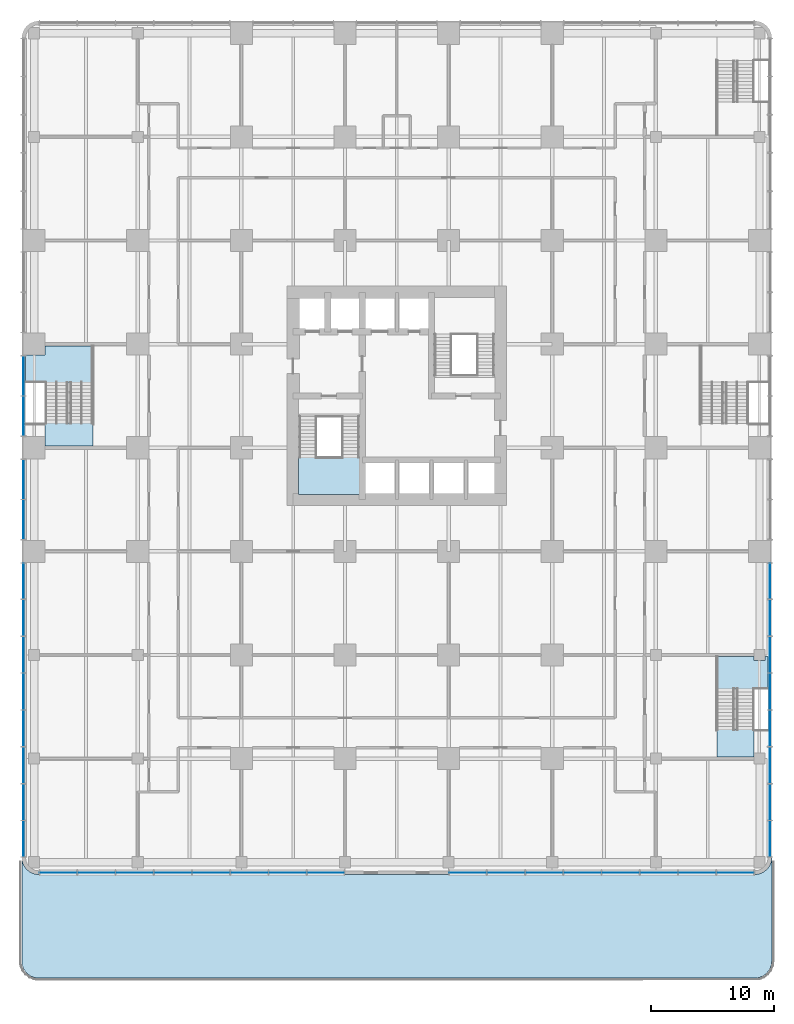
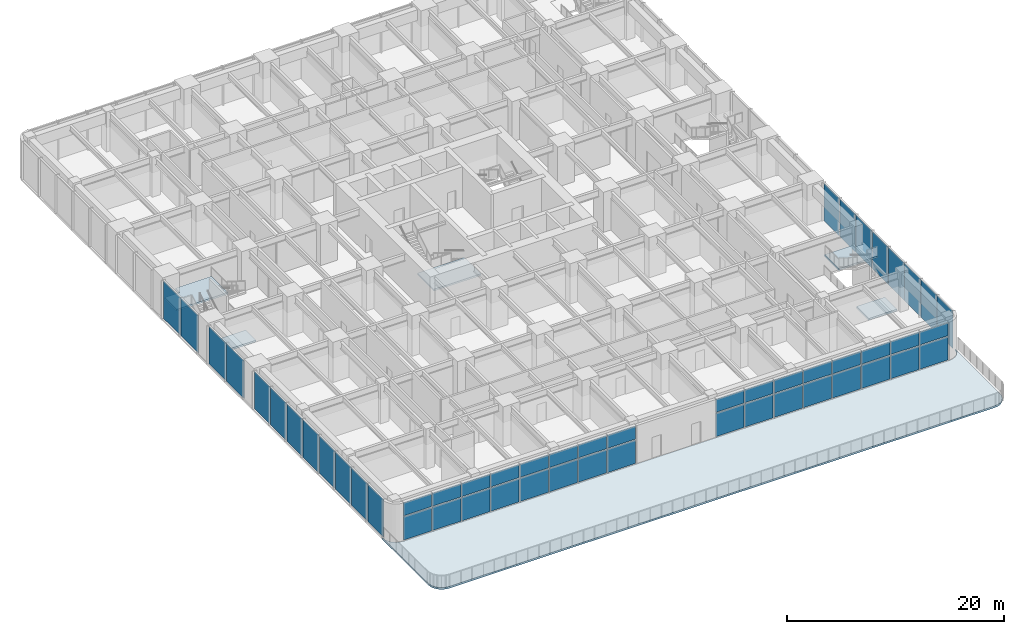
# One storey, part 9 of 20: 52 plates, 6 slabs, 7 elements without a shape of their own.
"""IFC4 building model written with IfcOpenShell, lengths in metres."""

from ifc_helpers import new_model, si_unit, direction, frame, origin, origin_2d, place, context, subcontext, project, spatial, polyline, rectangle, outline, extrude, material, layer, layer_set, type_object, element, aggregate, save


model = new_model("IFC4")

# Units and contexts
model_context = context("Model", 3, precision=1e-05, world=origin(), true_north=direction((0.0, 1.0)))
body_context = subcontext(model_context, "Body", "Model", "MODEL_VIEW")
ifc_project = project(units=[si_unit("LENGTHUNIT", "METRE"), si_unit("AREAUNIT", "SQUARE_METRE"), si_unit("VOLUMEUNIT", "CUBIC_METRE"), si_unit("PLANEANGLEUNIT", "RADIAN"), si_unit("MASSUNIT", "GRAM", prefix="KILO")], contexts=[model_context])

# Site, building, storey
site_placement = place(None, origin())
site = spatial("IfcSite", under=ifc_project, at=site_placement, CompositionType="ELEMENT")
building_placement = place(site_placement, origin())
building = spatial("IfcBuilding", under=site, at=building_placement, Name="Torre Alcanfor", CompositionType="ELEMENT")
storey_placement = place(building_placement, frame((0.0, 0.0, 10.5)))
storey = spatial("IfcBuildingStorey", under=building, at=storey_placement, Name="L02", CompositionType="ELEMENT", Elevation=10.5)

# Curtain wall, plates
ifc_material_1 = material(Name="Aluminium and glass", Category="aluminium")
curtain_wall_type_1 = type_object("IfcCurtainWallType", Name="CW-B unitised classroom glazing with vertical FIN", PredefinedType="NOTDEFINED", material=ifc_material_1)
curtain_wall_1_placement = place(storey_placement, origin())
curtain_wall_1 = element("IfcCurtainWall", 1, at=curtain_wall_1_placement, inside=storey, type_object=curtain_wall_type_1, Name="Curtain wall CW-B L02 1", PredefinedType="NOTDEFINED")
ifc_material_2 = material(Name="Glass", Category="glass")
ifc_layer_1 = layer(ifc_material_2, 0.028076171875)
ifc_layer_set_1 = layer_set([ifc_layer_1], Name="CW-B clear double glazed unit")
plate_type_1 = type_object("IfcPlateType", Name="CW-B clear double glazed unit", PredefinedType="CURTAIN_PANEL", material=ifc_layer_set_1)
plate_1_placement = place(storey_placement, frame((59.64990234375, -6.490234375, 0.0), z_axis=(0.0, 0.0, 1.0), x_axis=(0.0, 1.0, 0.0)))
plate_1 = element("IfcPlate", 2, at=plate_1_placement, type_object=plate_type_1, Name="CW-B panel 1.1.1", PredefinedType="CURTAIN_PANEL", context=body_context, shape_type="SweptSolid", body=[
    extrude(rectangle(XDim=2.889404296875, YDim=0.028076171875, at=origin_2d()), origin(), (0.0, 0.0, 1.0), 4.235107421875),
])
plate_2_placement = place(storey_placement, frame((59.64990234375, -3.519775390625, 0.0), z_axis=(0.0, 0.0, 1.0), x_axis=(0.0, 1.0, 0.0)))
plate_2 = element("IfcPlate", 3, at=plate_2_placement, type_object=plate_type_1, Name="CW-B panel 1.2.1", PredefinedType="CURTAIN_PANEL", context=body_context, shape_type="SweptSolid", body=[
    extrude(rectangle(XDim=2.921875, YDim=0.028076171875, at=origin_2d()), origin(), (0.0, 0.0, 1.0), 4.235107421875),
])
plate_3_placement = place(storey_placement, frame((59.64990234375, -0.53271484375, 0.0), z_axis=(0.0, 0.0, 1.0), x_axis=(0.0, 1.0, 0.0)))
plate_3 = element("IfcPlate", 4, at=plate_3_placement, type_object=plate_type_1, Name="CW-B panel 1.3.1", PredefinedType="CURTAIN_PANEL", context=body_context, shape_type="SweptSolid", body=[
    extrude(rectangle(XDim=2.921875, YDim=0.028076171875, at=origin_2d()), origin(), (0.0, 0.0, 1.0), 4.235107421875),
])
plate_4_placement = place(storey_placement, frame((59.64990234375, 2.4541015625, 0.0), z_axis=(0.0, 0.0, 1.0), x_axis=(0.0, 1.0, 0.0)))
plate_4 = element("IfcPlate", 5, at=plate_4_placement, type_object=plate_type_1, Name="CW-B panel 1.4.1", PredefinedType="CURTAIN_PANEL", context=body_context, shape_type="SweptSolid", body=[
    extrude(rectangle(XDim=2.921875, YDim=0.028076171875, at=origin_2d()), origin(), (0.0, 0.0, 1.0), 4.235107421875),
])
plate_5_placement = place(storey_placement, frame((59.64990234375, 5.44091796875, 0.0), z_axis=(0.0, 0.0, 1.0), x_axis=(0.0, 1.0, 0.0)))
plate_5 = element("IfcPlate", 6, at=plate_5_placement, type_object=plate_type_1, Name="CW-B panel 1.5.1", PredefinedType="CURTAIN_PANEL", context=body_context, shape_type="SweptSolid", body=[
    extrude(rectangle(XDim=2.921875, YDim=0.028076171875, at=origin_2d()), origin(), (0.0, 0.0, 1.0), 4.235107421875),
])
plate_6_placement = place(storey_placement, frame((59.64990234375, 8.427734375, 0.0), z_axis=(0.0, 0.0, 1.0), x_axis=(0.0, 1.0, 0.0)))
plate_6 = element("IfcPlate", 7, at=plate_6_placement, type_object=plate_type_1, Name="CW-B panel 1.6.1", PredefinedType="CURTAIN_PANEL", context=body_context, shape_type="SweptSolid", body=[
    extrude(rectangle(XDim=2.921875, YDim=0.028076171875, at=origin_2d()), origin(), (0.0, 0.0, 1.0), 4.235107421875),
])
plate_7_placement = place(storey_placement, frame((59.64990234375, 11.414794921875, 0.0), z_axis=(0.0, 0.0, 1.0), x_axis=(0.0, 1.0, 0.0)))
plate_7 = element("IfcPlate", 8, at=plate_7_placement, type_object=plate_type_1, Name="CW-B panel 1.7.1", PredefinedType="CURTAIN_PANEL", context=body_context, shape_type="SweptSolid", body=[
    extrude(rectangle(XDim=2.921875, YDim=0.028076171875, at=origin_2d()), origin(), (0.0, 0.0, 1.0), 4.235107421875),
])
plate_8_placement = place(storey_placement, frame((59.64990234375, 14.38525390625, 0.0), z_axis=(0.0, 0.0, 1.0), x_axis=(0.0, 1.0, 0.0)))
plate_8 = element("IfcPlate", 9, at=plate_8_placement, type_object=plate_type_1, Name="CW-B panel 1.8.1", PredefinedType="CURTAIN_PANEL", context=body_context, shape_type="SweptSolid", body=[
    extrude(rectangle(XDim=2.889404296875, YDim=0.028076171875, at=origin_2d()), origin(), (0.0, 0.0, 1.0), 4.235107421875),
])
aggregate(curtain_wall_1, [plate_1, plate_2, plate_3, plate_4, plate_5, plate_6, plate_7, plate_8])

curtain_wall_2_placement = place(storey_placement, origin())
curtain_wall_2 = element("IfcCurtainWall", 10, at=curtain_wall_2_placement, inside=storey, type_object=curtain_wall_type_1, Name="Curtain wall CW-B L02 3", PredefinedType="NOTDEFINED")
plate_9_placement = place(storey_placement, frame((-0.85009765625, 31.03125, 0.0), z_axis=(0.0, 0.0, 1.0), x_axis=(0.0, -1.0, 0.0)))
plate_9 = element("IfcPlate", 11, at=plate_9_placement, type_object=plate_type_1, Name="CW-B panel 3.1.1", PredefinedType="CURTAIN_PANEL", context=body_context, shape_type="SweptSolid", body=[
    extrude(rectangle(XDim=3.197509765625, YDim=0.028076171875, at=origin_2d()), origin(), (0.0, 0.0, 1.0), 4.235107421875),
])
plate_10_placement = place(storey_placement, frame((-0.85009765625, 27.768798828125, 0.0), z_axis=(0.0, 0.0, 1.0), x_axis=(0.0, -1.0, 0.0)))
plate_10 = element("IfcPlate", 12, at=plate_10_placement, type_object=plate_type_1, Name="CW-B panel 3.2.1", PredefinedType="CURTAIN_PANEL", context=body_context, shape_type="SweptSolid", body=[
    extrude(rectangle(XDim=3.197509765625, YDim=0.028076171875, at=origin_2d()), origin(), (0.0, 0.0, 1.0), 4.235107421875),
])
plate_11_placement = place(storey_placement, frame((-0.85009765625, 22.63134765625, 0.0), z_axis=(0.0, 0.0, 1.0), x_axis=(0.0, -1.0, 0.0)))
plate_11 = element("IfcPlate", 13, at=plate_11_placement, type_object=plate_type_1, Name="CW-B panel 4.1.1", PredefinedType="CURTAIN_PANEL", context=body_context, shape_type="SweptSolid", body=[
    extrude(rectangle(XDim=3.197509765625, YDim=0.028076171875, at=origin_2d()), origin(), (0.0, 0.0, 1.0), 4.235107421875),
])
plate_12_placement = place(storey_placement, frame((-0.85009765625, 19.36865234375, 0.0), z_axis=(0.0, 0.0, 1.0), x_axis=(0.0, -1.0, 0.0)))
plate_12 = element("IfcPlate", 14, at=plate_12_placement, type_object=plate_type_1, Name="CW-B panel 4.2.1", PredefinedType="CURTAIN_PANEL", context=body_context, shape_type="SweptSolid", body=[
    extrude(rectangle(XDim=3.197509765625, YDim=0.028076171875, at=origin_2d()), origin(), (0.0, 0.0, 1.0), 4.235107421875),
])
plate_13_placement = place(storey_placement, frame((-0.85009765625, 14.38525390625, 0.0), z_axis=(0.0, 0.0, 1.0), x_axis=(0.0, -1.0, 0.0)))
plate_13 = element("IfcPlate", 15, at=plate_13_placement, type_object=plate_type_1, Name="CW-B panel 5.1.1", PredefinedType="CURTAIN_PANEL", context=body_context, shape_type="SweptSolid", body=[
    extrude(rectangle(XDim=2.889404296875, YDim=0.028076171875, at=origin_2d()), origin(), (0.0, 0.0, 1.0), 4.235107421875),
])
plate_14_placement = place(storey_placement, frame((-0.85009765625, 11.414794921875, 0.0), z_axis=(0.0, 0.0, 1.0), x_axis=(0.0, -1.0, 0.0)))
plate_14 = element("IfcPlate", 16, at=plate_14_placement, type_object=plate_type_1, Name="CW-B panel 5.2.1", PredefinedType="CURTAIN_PANEL", context=body_context, shape_type="SweptSolid", body=[
    extrude(rectangle(XDim=2.921875, YDim=0.028076171875, at=origin_2d()), origin(), (0.0, 0.0, 1.0), 4.235107421875),
])
plate_15_placement = place(storey_placement, frame((-0.85009765625, 8.427734375, 0.0), z_axis=(0.0, 0.0, 1.0), x_axis=(0.0, -1.0, 0.0)))
plate_15 = element("IfcPlate", 17, at=plate_15_placement, type_object=plate_type_1, Name="CW-B panel 5.3.1", PredefinedType="CURTAIN_PANEL", context=body_context, shape_type="SweptSolid", body=[
    extrude(rectangle(XDim=2.921875, YDim=0.028076171875, at=origin_2d()), origin(), (0.0, 0.0, 1.0), 4.235107421875),
])
plate_16_placement = place(storey_placement, frame((-0.85009765625, 5.44091796875, 0.0), z_axis=(0.0, 0.0, 1.0), x_axis=(0.0, -1.0, 0.0)))
plate_16 = element("IfcPlate", 18, at=plate_16_placement, type_object=plate_type_1, Name="CW-B panel 5.4.1", PredefinedType="CURTAIN_PANEL", context=body_context, shape_type="SweptSolid", body=[
    extrude(rectangle(XDim=2.921875, YDim=0.028076171875, at=origin_2d()), origin(), (0.0, 0.0, 1.0), 4.235107421875),
])
plate_17_placement = place(storey_placement, frame((-0.85009765625, 2.4541015625, 0.0), z_axis=(0.0, 0.0, 1.0), x_axis=(0.0, -1.0, 0.0)))
plate_17 = element("IfcPlate", 19, at=plate_17_placement, type_object=plate_type_1, Name="CW-B panel 5.5.1", PredefinedType="CURTAIN_PANEL", context=body_context, shape_type="SweptSolid", body=[
    extrude(rectangle(XDim=2.921875, YDim=0.028076171875, at=origin_2d()), origin(), (0.0, 0.0, 1.0), 4.235107421875),
])
plate_18_placement = place(storey_placement, frame((-0.85009765625, -0.53271484375, 0.0), z_axis=(0.0, 0.0, 1.0), x_axis=(0.0, -1.0, 0.0)))
plate_18 = element("IfcPlate", 20, at=plate_18_placement, type_object=plate_type_1, Name="CW-B panel 5.6.1", PredefinedType="CURTAIN_PANEL", context=body_context, shape_type="SweptSolid", body=[
    extrude(rectangle(XDim=2.921875, YDim=0.028076171875, at=origin_2d()), origin(), (0.0, 0.0, 1.0), 4.235107421875),
])
plate_19_placement = place(storey_placement, frame((-0.85009765625, -3.519775390625, 0.0), z_axis=(0.0, 0.0, 1.0), x_axis=(0.0, -1.0, 0.0)))
plate_19 = element("IfcPlate", 21, at=plate_19_placement, type_object=plate_type_1, Name="CW-B panel 5.7.1", PredefinedType="CURTAIN_PANEL", context=body_context, shape_type="SweptSolid", body=[
    extrude(rectangle(XDim=2.921875, YDim=0.028076171875, at=origin_2d()), origin(), (0.0, 0.0, 1.0), 4.235107421875),
])
plate_20_placement = place(storey_placement, frame((-0.85009765625, -6.490234375, 0.0), z_axis=(0.0, 0.0, 1.0), x_axis=(0.0, -1.0, 0.0)))
plate_20 = element("IfcPlate", 22, at=plate_20_placement, type_object=plate_type_1, Name="CW-B panel 5.8.1", PredefinedType="CURTAIN_PANEL", context=body_context, shape_type="SweptSolid", body=[
    extrude(rectangle(XDim=2.889404296875, YDim=0.028076171875, at=origin_2d()), origin(), (0.0, 0.0, 1.0), 4.235107421875),
])
aggregate(curtain_wall_2, [plate_9, plate_10, plate_11, plate_12, plate_13, plate_14, plate_15, plate_16, plate_17, plate_18, plate_19, plate_20])

ifc_material_3 = material(Name="Aluminium and glass", Category="aluminium")
curtain_wall_type_2 = type_object("IfcCurtainWallType", Name="CW-F south classroom glazing with SUNSHADE transom", PredefinedType="NOTDEFINED", material=ifc_material_3)
curtain_wall_3_placement = place(storey_placement, origin())
curtain_wall_3 = element("IfcCurtainWall", 23, at=curtain_wall_3_placement, inside=storey, type_object=curtain_wall_type_2, Name="Curtain wall CW-F L02 4", PredefinedType="NOTDEFINED")
ifc_material_4 = material(Name="Glass", Category="glass")
ifc_layer_2 = layer(ifc_material_4, 0.028076171875)
ifc_layer_set_2 = layer_set([ifc_layer_2], Name="CW-F clear double glazed unit")
plate_type_2 = type_object("IfcPlateType", Name="CW-F clear double glazed unit", PredefinedType="CURTAIN_PANEL", material=ifc_layer_set_2)
plate_21_placement = place(storey_placement, frame((1.96630859375, -9.25, 0.0), z_axis=(0.0, 0.0, 1.0), x_axis=(1.0, 0.0, 0.0)))
plate_21 = element("IfcPlate", 24, at=plate_21_placement, type_object=plate_type_2, Name="CW-F panel 1.1", PredefinedType="CURTAIN_PANEL", context=body_context, shape_type="SweptSolid", body=[
    extrude(rectangle(XDim=3.00244140625, YDim=0.028076171875, at=origin_2d()), origin(), (0.0, 0.0, 1.0), 2.66748046875),
])
plate_22_placement = place(storey_placement, frame((1.96630859375, -9.25, 2.732421875), z_axis=(0.0, 0.0, 1.0), x_axis=(1.0, 0.0, 0.0)))
plate_22 = element("IfcPlate", 25, at=plate_22_placement, type_object=plate_type_2, Name="CW-F panel 1.2", PredefinedType="CURTAIN_PANEL", context=body_context, shape_type="SweptSolid", body=[
    extrude(rectangle(XDim=3.00244140625, YDim=0.028076171875, at=origin_2d()), origin(), (0.0, 0.0, 1.0), 1.50244140625),
])
plate_23_placement = place(storey_placement, frame((5.050048828125, -9.25, 0.0), z_axis=(0.0, 0.0, 1.0), x_axis=(1.0, 0.0, 0.0)))
plate_23 = element("IfcPlate", 26, at=plate_23_placement, type_object=plate_type_2, Name="CW-F panel 2.1", PredefinedType="CURTAIN_PANEL", context=body_context, shape_type="SweptSolid", body=[
    extrude(rectangle(XDim=3.034912109375, YDim=0.028076171875, at=origin_2d()), origin(), (0.0, 0.0, 1.0), 2.66748046875),
])
plate_24_placement = place(storey_placement, frame((5.050048828125, -9.25, 2.732421875), z_axis=(0.0, 0.0, 1.0), x_axis=(1.0, 0.0, 0.0)))
plate_24 = element("IfcPlate", 27, at=plate_24_placement, type_object=plate_type_2, Name="CW-F panel 2.2", PredefinedType="CURTAIN_PANEL", context=body_context, shape_type="SweptSolid", body=[
    extrude(rectangle(XDim=3.034912109375, YDim=0.028076171875, at=origin_2d()), origin(), (0.0, 0.0, 1.0), 1.50244140625),
])
plate_25_placement = place(storey_placement, frame((8.14990234375, -9.25, 0.0), z_axis=(0.0, 0.0, 1.0), x_axis=(1.0, 0.0, 0.0)))
plate_25 = element("IfcPlate", 28, at=plate_25_placement, type_object=plate_type_2, Name="CW-F panel 3.1", PredefinedType="CURTAIN_PANEL", context=body_context, shape_type="SweptSolid", body=[
    extrude(rectangle(XDim=3.034912109375, YDim=0.028076171875, at=origin_2d()), origin(), (0.0, 0.0, 1.0), 2.66748046875),
])
plate_26_placement = place(storey_placement, frame((8.14990234375, -9.25, 2.732421875), z_axis=(0.0, 0.0, 1.0), x_axis=(1.0, 0.0, 0.0)))
plate_26 = element("IfcPlate", 29, at=plate_26_placement, type_object=plate_type_2, Name="CW-F panel 3.2", PredefinedType="CURTAIN_PANEL", context=body_context, shape_type="SweptSolid", body=[
    extrude(rectangle(XDim=3.034912109375, YDim=0.028076171875, at=origin_2d()), origin(), (0.0, 0.0, 1.0), 1.50244140625),
])
plate_27_placement = place(storey_placement, frame((11.25, -9.25, 0.0), z_axis=(0.0, 0.0, 1.0), x_axis=(1.0, 0.0, 0.0)))
plate_27 = element("IfcPlate", 30, at=plate_27_placement, type_object=plate_type_2, Name="CW-F panel 4.1", PredefinedType="CURTAIN_PANEL", context=body_context, shape_type="SweptSolid", body=[
    extrude(rectangle(XDim=3.034912109375, YDim=0.028076171875, at=origin_2d()), origin(), (0.0, 0.0, 1.0), 2.66748046875),
])
plate_28_placement = place(storey_placement, frame((11.25, -9.25, 2.732421875), z_axis=(0.0, 0.0, 1.0), x_axis=(1.0, 0.0, 0.0)))
plate_28 = element("IfcPlate", 31, at=plate_28_placement, type_object=plate_type_2, Name="CW-F panel 4.2", PredefinedType="CURTAIN_PANEL", context=body_context, shape_type="SweptSolid", body=[
    extrude(rectangle(XDim=3.034912109375, YDim=0.028076171875, at=origin_2d()), origin(), (0.0, 0.0, 1.0), 1.50244140625),
])
plate_29_placement = place(storey_placement, frame((14.35009765625, -9.25, 0.0), z_axis=(0.0, 0.0, 1.0), x_axis=(1.0, 0.0, 0.0)))
plate_29 = element("IfcPlate", 32, at=plate_29_placement, type_object=plate_type_2, Name="CW-F panel 5.1", PredefinedType="CURTAIN_PANEL", context=body_context, shape_type="SweptSolid", body=[
    extrude(rectangle(XDim=3.034912109375, YDim=0.028076171875, at=origin_2d()), origin(), (0.0, 0.0, 1.0), 2.66748046875),
])
plate_30_placement = place(storey_placement, frame((14.35009765625, -9.25, 2.732421875), z_axis=(0.0, 0.0, 1.0), x_axis=(1.0, 0.0, 0.0)))
plate_30 = element("IfcPlate", 33, at=plate_30_placement, type_object=plate_type_2, Name="CW-F panel 5.2", PredefinedType="CURTAIN_PANEL", context=body_context, shape_type="SweptSolid", body=[
    extrude(rectangle(XDim=3.034912109375, YDim=0.028076171875, at=origin_2d()), origin(), (0.0, 0.0, 1.0), 1.50244140625),
])
plate_31_placement = place(storey_placement, frame((17.449951171875, -9.25, 0.0), z_axis=(0.0, 0.0, 1.0), x_axis=(1.0, 0.0, 0.0)))
plate_31 = element("IfcPlate", 34, at=plate_31_placement, type_object=plate_type_2, Name="CW-F panel 6.1", PredefinedType="CURTAIN_PANEL", context=body_context, shape_type="SweptSolid", body=[
    extrude(rectangle(XDim=3.034912109375, YDim=0.028076171875, at=origin_2d()), origin(), (0.0, 0.0, 1.0), 2.66748046875),
])
plate_32_placement = place(storey_placement, frame((17.449951171875, -9.25, 2.732421875), z_axis=(0.0, 0.0, 1.0), x_axis=(1.0, 0.0, 0.0)))
plate_32 = element("IfcPlate", 35, at=plate_32_placement, type_object=plate_type_2, Name="CW-F panel 6.2", PredefinedType="CURTAIN_PANEL", context=body_context, shape_type="SweptSolid", body=[
    extrude(rectangle(XDim=3.034912109375, YDim=0.028076171875, at=origin_2d()), origin(), (0.0, 0.0, 1.0), 1.50244140625),
])
plate_33_placement = place(storey_placement, frame((20.550048828125, -9.25, 0.0), z_axis=(0.0, 0.0, 1.0), x_axis=(1.0, 0.0, 0.0)))
plate_33 = element("IfcPlate", 36, at=plate_33_placement, type_object=plate_type_2, Name="CW-F panel 7.1", PredefinedType="CURTAIN_PANEL", context=body_context, shape_type="SweptSolid", body=[
    extrude(rectangle(XDim=3.034912109375, YDim=0.028076171875, at=origin_2d()), origin(), (0.0, 0.0, 1.0), 2.66748046875),
])
plate_34_placement = place(storey_placement, frame((20.550048828125, -9.25, 2.732421875), z_axis=(0.0, 0.0, 1.0), x_axis=(1.0, 0.0, 0.0)))
plate_34 = element("IfcPlate", 37, at=plate_34_placement, type_object=plate_type_2, Name="CW-F panel 7.2", PredefinedType="CURTAIN_PANEL", context=body_context, shape_type="SweptSolid", body=[
    extrude(rectangle(XDim=3.034912109375, YDim=0.028076171875, at=origin_2d()), origin(), (0.0, 0.0, 1.0), 1.50244140625),
])
plate_35_placement = place(storey_placement, frame((23.6337890625, -9.25, 0.0), z_axis=(0.0, 0.0, 1.0), x_axis=(1.0, 0.0, 0.0)))
plate_35 = element("IfcPlate", 38, at=plate_35_placement, type_object=plate_type_2, Name="CW-F panel 8.1", PredefinedType="CURTAIN_PANEL", context=body_context, shape_type="SweptSolid", body=[
    extrude(rectangle(XDim=3.00244140625, YDim=0.028076171875, at=origin_2d()), origin(), (0.0, 0.0, 1.0), 2.66748046875),
])
plate_36_placement = place(storey_placement, frame((23.6337890625, -9.25, 2.732421875), z_axis=(0.0, 0.0, 1.0), x_axis=(1.0, 0.0, 0.0)))
plate_36 = element("IfcPlate", 39, at=plate_36_placement, type_object=plate_type_2, Name="CW-F panel 8.2", PredefinedType="CURTAIN_PANEL", context=body_context, shape_type="SweptSolid", body=[
    extrude(rectangle(XDim=3.00244140625, YDim=0.028076171875, at=origin_2d()), origin(), (0.0, 0.0, 1.0), 1.50244140625),
])
aggregate(curtain_wall_3, [plate_21, plate_22, plate_23, plate_24, plate_25, plate_26, plate_27, plate_28, plate_29, plate_30, plate_31, plate_32, plate_33, plate_34, plate_35, plate_36])

curtain_wall_4_placement = place(storey_placement, origin())
curtain_wall_4 = element("IfcCurtainWall", 40, at=curtain_wall_4_placement, inside=storey, type_object=curtain_wall_type_2, Name="Curtain wall CW-F L02 4", PredefinedType="NOTDEFINED")
plate_37_placement = place(storey_placement, frame((35.166259765625, -9.25, 0.0), z_axis=(0.0, 0.0, 1.0), x_axis=(1.0, 0.0, 0.0)))
plate_37 = element("IfcPlate", 41, at=plate_37_placement, type_object=plate_type_2, Name="CW-F panel 1.1", PredefinedType="CURTAIN_PANEL", context=body_context, shape_type="SweptSolid", body=[
    extrude(rectangle(XDim=3.00244140625, YDim=0.028076171875, at=origin_2d()), origin(), (0.0, 0.0, 1.0), 2.66748046875),
])
plate_38_placement = place(storey_placement, frame((35.166259765625, -9.25, 2.732421875), z_axis=(0.0, 0.0, 1.0), x_axis=(1.0, 0.0, 0.0)))
plate_38 = element("IfcPlate", 42, at=plate_38_placement, type_object=plate_type_2, Name="CW-F panel 1.2", PredefinedType="CURTAIN_PANEL", context=body_context, shape_type="SweptSolid", body=[
    extrude(rectangle(XDim=3.00244140625, YDim=0.028076171875, at=origin_2d()), origin(), (0.0, 0.0, 1.0), 1.50244140625),
])
plate_39_placement = place(storey_placement, frame((38.25, -9.25, 0.0), z_axis=(0.0, 0.0, 1.0), x_axis=(1.0, 0.0, 0.0)))
plate_39 = element("IfcPlate", 43, at=plate_39_placement, type_object=plate_type_2, Name="CW-F panel 2.1", PredefinedType="CURTAIN_PANEL", context=body_context, shape_type="SweptSolid", body=[
    extrude(rectangle(XDim=3.034912109375, YDim=0.028076171875, at=origin_2d()), origin(), (0.0, 0.0, 1.0), 2.66748046875),
])
plate_40_placement = place(storey_placement, frame((38.25, -9.25, 2.732421875), z_axis=(0.0, 0.0, 1.0), x_axis=(1.0, 0.0, 0.0)))
plate_40 = element("IfcPlate", 44, at=plate_40_placement, type_object=plate_type_2, Name="CW-F panel 2.2", PredefinedType="CURTAIN_PANEL", context=body_context, shape_type="SweptSolid", body=[
    extrude(rectangle(XDim=3.034912109375, YDim=0.028076171875, at=origin_2d()), origin(), (0.0, 0.0, 1.0), 1.50244140625),
])
plate_41_placement = place(storey_placement, frame((41.35009765625, -9.25, 0.0), z_axis=(0.0, 0.0, 1.0), x_axis=(1.0, 0.0, 0.0)))
plate_41 = element("IfcPlate", 45, at=plate_41_placement, type_object=plate_type_2, Name="CW-F panel 3.1", PredefinedType="CURTAIN_PANEL", context=body_context, shape_type="SweptSolid", body=[
    extrude(rectangle(XDim=3.034912109375, YDim=0.028076171875, at=origin_2d()), origin(), (0.0, 0.0, 1.0), 2.66748046875),
])
plate_42_placement = place(storey_placement, frame((41.35009765625, -9.25, 2.732421875), z_axis=(0.0, 0.0, 1.0), x_axis=(1.0, 0.0, 0.0)))
plate_42 = element("IfcPlate", 46, at=plate_42_placement, type_object=plate_type_2, Name="CW-F panel 3.2", PredefinedType="CURTAIN_PANEL", context=body_context, shape_type="SweptSolid", body=[
    extrude(rectangle(XDim=3.034912109375, YDim=0.028076171875, at=origin_2d()), origin(), (0.0, 0.0, 1.0), 1.50244140625),
])
plate_43_placement = place(storey_placement, frame((44.449951171875, -9.25, 0.0), z_axis=(0.0, 0.0, 1.0), x_axis=(1.0, 0.0, 0.0)))
plate_43 = element("IfcPlate", 47, at=plate_43_placement, type_object=plate_type_2, Name="CW-F panel 4.1", PredefinedType="CURTAIN_PANEL", context=body_context, shape_type="SweptSolid", body=[
    extrude(rectangle(XDim=3.034912109375, YDim=0.028076171875, at=origin_2d()), origin(), (0.0, 0.0, 1.0), 2.66748046875),
])
plate_44_placement = place(storey_placement, frame((44.449951171875, -9.25, 2.732421875), z_axis=(0.0, 0.0, 1.0), x_axis=(1.0, 0.0, 0.0)))
plate_44 = element("IfcPlate", 48, at=plate_44_placement, type_object=plate_type_2, Name="CW-F panel 4.2", PredefinedType="CURTAIN_PANEL", context=body_context, shape_type="SweptSolid", body=[
    extrude(rectangle(XDim=3.034912109375, YDim=0.028076171875, at=origin_2d()), origin(), (0.0, 0.0, 1.0), 1.50244140625),
])
plate_45_placement = place(storey_placement, frame((47.550048828125, -9.25, 0.0), z_axis=(0.0, 0.0, 1.0), x_axis=(1.0, 0.0, 0.0)))
plate_45 = element("IfcPlate", 49, at=plate_45_placement, type_object=plate_type_2, Name="CW-F panel 5.1", PredefinedType="CURTAIN_PANEL", context=body_context, shape_type="SweptSolid", body=[
    extrude(rectangle(XDim=3.034912109375, YDim=0.028076171875, at=origin_2d()), origin(), (0.0, 0.0, 1.0), 2.66748046875),
])
plate_46_placement = place(storey_placement, frame((47.550048828125, -9.25, 2.732421875), z_axis=(0.0, 0.0, 1.0), x_axis=(1.0, 0.0, 0.0)))
plate_46 = element("IfcPlate", 50, at=plate_46_placement, type_object=plate_type_2, Name="CW-F panel 5.2", PredefinedType="CURTAIN_PANEL", context=body_context, shape_type="SweptSolid", body=[
    extrude(rectangle(XDim=3.034912109375, YDim=0.028076171875, at=origin_2d()), origin(), (0.0, 0.0, 1.0), 1.50244140625),
])
plate_47_placement = place(storey_placement, frame((50.64990234375, -9.25, 0.0), z_axis=(0.0, 0.0, 1.0), x_axis=(1.0, 0.0, 0.0)))
plate_47 = element("IfcPlate", 51, at=plate_47_placement, type_object=plate_type_2, Name="CW-F panel 6.1", PredefinedType="CURTAIN_PANEL", context=body_context, shape_type="SweptSolid", body=[
    extrude(rectangle(XDim=3.034912109375, YDim=0.028076171875, at=origin_2d()), origin(), (0.0, 0.0, 1.0), 2.66748046875),
])
plate_48_placement = place(storey_placement, frame((50.64990234375, -9.25, 2.732421875), z_axis=(0.0, 0.0, 1.0), x_axis=(1.0, 0.0, 0.0)))
plate_48 = element("IfcPlate", 52, at=plate_48_placement, type_object=plate_type_2, Name="CW-F panel 6.2", PredefinedType="CURTAIN_PANEL", context=body_context, shape_type="SweptSolid", body=[
    extrude(rectangle(XDim=3.034912109375, YDim=0.028076171875, at=origin_2d()), origin(), (0.0, 0.0, 1.0), 1.50244140625),
])
plate_49_placement = place(storey_placement, frame((53.75, -9.25, 0.0), z_axis=(0.0, 0.0, 1.0), x_axis=(1.0, 0.0, 0.0)))
plate_49 = element("IfcPlate", 53, at=plate_49_placement, type_object=plate_type_2, Name="CW-F panel 7.1", PredefinedType="CURTAIN_PANEL", context=body_context, shape_type="SweptSolid", body=[
    extrude(rectangle(XDim=3.034912109375, YDim=0.028076171875, at=origin_2d()), origin(), (0.0, 0.0, 1.0), 2.66748046875),
])
plate_50_placement = place(storey_placement, frame((53.75, -9.25, 2.732421875), z_axis=(0.0, 0.0, 1.0), x_axis=(1.0, 0.0, 0.0)))
plate_50 = element("IfcPlate", 54, at=plate_50_placement, type_object=plate_type_2, Name="CW-F panel 7.2", PredefinedType="CURTAIN_PANEL", context=body_context, shape_type="SweptSolid", body=[
    extrude(rectangle(XDim=3.034912109375, YDim=0.028076171875, at=origin_2d()), origin(), (0.0, 0.0, 1.0), 1.50244140625),
])
plate_51_placement = place(storey_placement, frame((56.833740234375, -9.25, 0.0), z_axis=(0.0, 0.0, 1.0), x_axis=(1.0, 0.0, 0.0)))
plate_51 = element("IfcPlate", 55, at=plate_51_placement, type_object=plate_type_2, Name="CW-F panel 8.1", PredefinedType="CURTAIN_PANEL", context=body_context, shape_type="SweptSolid", body=[
    extrude(rectangle(XDim=3.00244140625, YDim=0.028076171875, at=origin_2d()), origin(), (0.0, 0.0, 1.0), 2.66748046875),
])
plate_52_placement = place(storey_placement, frame((56.833740234375, -9.25, 2.732421875), z_axis=(0.0, 0.0, 1.0), x_axis=(1.0, 0.0, 0.0)))
plate_52 = element("IfcPlate", 56, at=plate_52_placement, type_object=plate_type_2, Name="CW-F panel 8.2", PredefinedType="CURTAIN_PANEL", context=body_context, shape_type="SweptSolid", body=[
    extrude(rectangle(XDim=3.00244140625, YDim=0.028076171875, at=origin_2d()), origin(), (0.0, 0.0, 1.0), 1.50244140625),
])
aggregate(curtain_wall_4, [plate_37, plate_38, plate_39, plate_40, plate_41, plate_42, plate_43, plate_44, plate_45, plate_46, plate_47, plate_48, plate_49, plate_50, plate_51, plate_52])

# Slab
ifc_material_5 = material(Name="Concrete f'c 35 MPa", Category="concrete")
ifc_layer_3 = layer(ifc_material_5, 0.199951171875)
ifc_layer_set_3 = layer_set([ifc_layer_3], Name="Roof slab 200")
slab_type_1 = type_object("IfcSlabType", Name="Roof slab 200", PredefinedType="ROOF", material=ifc_layer_set_3)
slab_1_placement = place(storey_placement, frame((0.0, 0.0, -0.199951171875)))
element("IfcSlab", 57, at=slab_1_placement, inside=storey, type_object=slab_type_1, Name="Roof slab L02 terrace 1", PredefinedType="ROOF", context=body_context, shape_type="SweptSolid", body=[
    extrude(outline(polyline([(59.800048828125, -8.0), (59.752197265625, -8.3623046875), (59.6123046875, -8.699951171875), (59.389892578125, -8.989990234375), (59.10009765625, -9.21240234375), (58.76220703125, -9.352294921875), (58.39990234375, -9.39990234375), (0.39990234375, -9.39990234375), (0.03759765625, -9.352294921875), (-0.300048828125, -9.21240234375), (-0.58984375, -8.989990234375), (-0.8125, -8.699951171875), (-0.952392578125, -8.3623046875), (-1.0, -8.0), (-1.0, -16.39990234375), (-0.952392578125, -16.76220703125), (-0.8125, -17.10009765625), (-0.58984375, -17.389892578125), (-0.300048828125, -17.6123046875), (0.03759765625, -17.752197265625), (0.39990234375, -17.800048828125), (58.39990234375, -17.800048828125), (58.76220703125, -17.752197265625), (59.10009765625, -17.6123046875), (59.389892578125, -17.389892578125), (59.6123046875, -17.10009765625), (59.752197265625, -16.76220703125), (59.800048828125, -16.39990234375), (59.800048828125, -8.0)])), origin(), (0.0, 0.0, 1.0), 0.199951171875),
])

# Stair, slab
ifc_material_6 = material(Name="Concrete f'c 35 MPa", Category="concrete")
stair_type_1 = type_object("IfcStairType", Name="Exit stair S1 1400 wide", PredefinedType="HALF_TURN_STAIR", material=ifc_material_6)
stair_1_placement = place(storey_placement, origin())
stair_1 = element("IfcStair", 58, at=stair_1_placement, inside=storey, type_object=stair_type_1, Name="Stair S1 L02 to L03", PredefinedType="HALF_TURN_STAIR")
ifc_material_7 = material(Name="Concrete f'c 35 MPa", Category="concrete")
ifc_layer_4 = layer(ifc_material_7, 0.199951171875)
ifc_layer_set_4 = layer_set([ifc_layer_4], Name="Stair landing 200")
slab_type_2 = type_object("IfcSlabType", Name="Stair landing 200", PredefinedType="LANDING", material=ifc_layer_set_4)
slab_2_placement = place(storey_placement, frame((0.0, 0.0, 2.050048828125)))
slab_2 = element("IfcSlab", 59, at=slab_2_placement, type_object=slab_type_2, Name="S1 landing 2", PredefinedType="LANDING", context=body_context, shape_type="SweptSolid", body=[
    extrude(outline(polyline([(21.419921875, 21.419921875), (26.429931640625, 21.419921875), (26.429931640625, 24.43994140625), (21.419921875, 24.43994140625), (21.419921875, 21.419921875)])), origin(), (0.0, 0.0, 1.0), 0.199951171875),
])
aggregate(stair_1, [slab_2])

# Stair, slabs
ifc_material_8 = material(Name="Concrete f'c 35 MPa", Category="concrete")
stair_type_2 = type_object("IfcStairType", Name="Exit stair SS1 1830 wide", PredefinedType="HALF_TURN_STAIR", material=ifc_material_8)
stair_2_placement = place(storey_placement, origin())
stair_2 = element("IfcStair", 60, at=stair_2_placement, inside=storey, type_object=stair_type_2, Name="Stair SS1 L02 to L03", PredefinedType="HALF_TURN_STAIR")
slab_3_placement = place(storey_placement, frame((0.0, 0.0, -0.199951171875)))
slab_3 = element("IfcSlab", 61, at=slab_3_placement, type_object=slab_type_2, Name="SS1 landing 1", PredefinedType="LANDING", context=body_context, shape_type="SweptSolid", body=[
    extrude(outline(polyline([(4.760009765625, 27.205078125), (4.760009765625, 25.324951171875), (0.89990234375, 25.324951171875), (0.89990234375, 26.10009765625), (0.89990234375, 27.205078125), (4.760009765625, 27.205078125)])), origin(), (0.0, 0.0, 1.0), 0.199951171875),
])
slab_4_placement = place(storey_placement, frame((0.0, 0.0, 2.050048828125)))
slab_4 = element("IfcSlab", 62, at=slab_4_placement, type_object=slab_type_2, Name="SS1 landing 2", PredefinedType="LANDING", context=body_context, shape_type="SweptSolid", body=[
    extrude(outline(polyline([(4.760009765625, 33.465087890625), (4.760009765625, 30.465087890625), (-0.699951171875, 30.465087890625), (-0.699951171875, 32.699951171875), (0.89990234375, 32.699951171875), (0.89990234375, 33.465087890625), (4.760009765625, 33.465087890625)])), origin(), (0.0, 0.0, 1.0), 0.199951171875),
])
aggregate(stair_2, [slab_3, slab_4])

ifc_material_9 = material(Name="Concrete f'c 35 MPa", Category="concrete")
stair_type_3 = type_object("IfcStairType", Name="Exit stair SS3 1400 wide", PredefinedType="HALF_TURN_STAIR", material=ifc_material_9)
stair_3_placement = place(storey_placement, origin())
stair_3 = element("IfcStair", 63, at=stair_3_placement, inside=storey, type_object=stair_type_3, Name="Stair SS3 L02 to L03", PredefinedType="HALF_TURN_STAIR")
slab_5_placement = place(storey_placement, frame((0.0, 0.0, -0.199951171875)))
slab_5 = element("IfcSlab", 64, at=slab_5_placement, type_object=slab_type_2, Name="SS3 landing 1", PredefinedType="LANDING", context=body_context, shape_type="SweptSolid", body=[
    extrude(outline(polyline([(55.35009765625, 2.375), (58.35009765625, 2.375), (58.35009765625, 0.449951171875), (58.35009765625, 0.449951171875), (58.35009765625, 0.125), (55.35009765625, 0.125), (55.35009765625, 2.375)])), origin(), (0.0, 0.0, 1.0), 0.199951171875),
])
slab_6_placement = place(storey_placement, frame((0.0, 0.0, 2.050048828125)))
slab_6 = element("IfcSlab", 65, at=slab_6_placement, type_object=slab_type_2, Name="SS3 landing 2", PredefinedType="LANDING", context=body_context, shape_type="SweptSolid", body=[
    extrude(outline(polyline([(59.5, 8.264892578125), (59.5, 5.635009765625), (55.35009765625, 5.635009765625), (55.35009765625, 8.264892578125), (58.35009765625, 8.264892578125), (58.35009765625, 7.949951171875), (59.25, 7.949951171875), (59.25, 8.264892578125), (59.5, 8.264892578125)])), origin(), (0.0, 0.0, 1.0), 0.199951171875),
])
aggregate(stair_3, [slab_5, slab_6])

save(model, "model.ifc")
